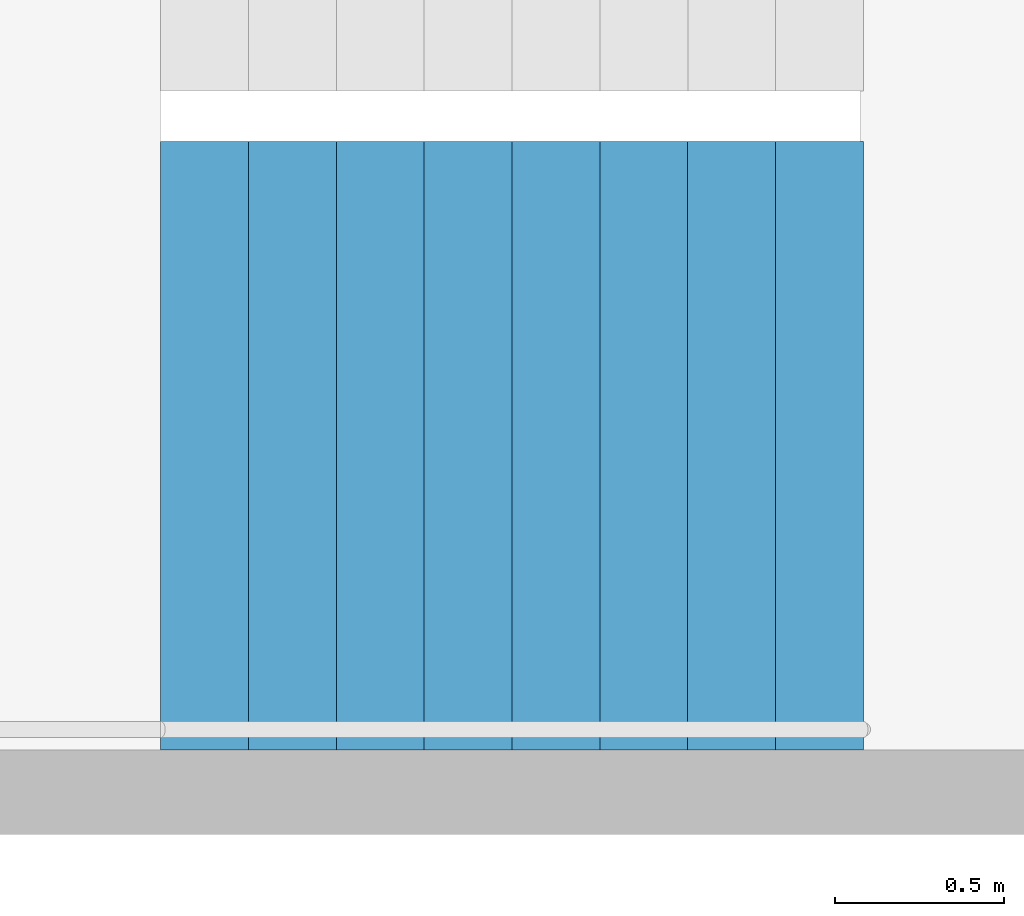
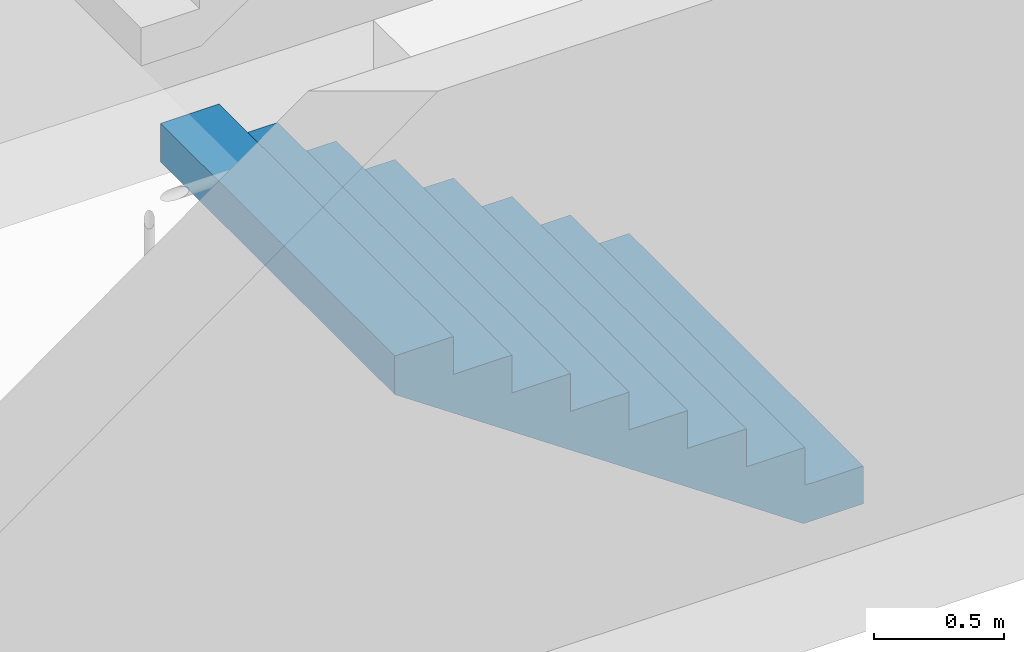
# One storey, part 39 of 42: 1 stair flight, 1 element without a shape of its own.
"""IFC4 building model written with IfcOpenShell, lengths in metres."""

from ifc_helpers import new_model, si_unit, direction, frame, origin, place, context, subcontext, project, spatial, triangles, material, type_object, element, aggregate, save


model = new_model("IFC4")

# Units and contexts
model_context = context("Model", 3, precision=1e-05, world=origin(), true_north=direction((0.0, 1.0)))
body_context = subcontext(model_context, "Body", "Model", "MODEL_VIEW")
ifc_project = project(units=[si_unit("LENGTHUNIT", "METRE"), si_unit("AREAUNIT", "SQUARE_METRE"), si_unit("VOLUMEUNIT", "CUBIC_METRE"), si_unit("PLANEANGLEUNIT", "RADIAN"), si_unit("MASSUNIT", "GRAM", prefix="KILO")], contexts=[model_context])

# Site, building, storey
site_placement = place(None, origin())
site = spatial("IfcSite", under=ifc_project, at=site_placement, CompositionType="ELEMENT")
building_placement = place(site_placement, origin())
building = spatial("IfcBuilding", under=site, at=building_placement, Name="Hakoniwa Tower and Hamabe Station Hall", CompositionType="ELEMENT")
storey_placement = place(building_placement, frame((0.0, 0.0, 19.800048828125)))
storey = spatial("IfcBuildingStorey", under=building, at=storey_placement, Name="L04", CompositionType="ELEMENT", Elevation=19.800048828125)

# Stair, stair flight
ifc_material_1 = material(Name="Concrete C40", Category="concrete")
stair_type = type_object("IfcStairType", Name="ESCAPE STAIR 1800", PredefinedType="HALF_TURN_STAIR", material=ifc_material_1)
stair_placement = place(storey_placement, origin())
stair = element("IfcStair", 1, at=stair_placement, inside=storey, type_object=stair_type, Name="Escape stair ST-3 L04", PredefinedType="HALF_TURN_STAIR")
ifc_material_2 = material(Name="Concrete C40", Category="concrete")
stair_flight_type = type_object("IfcStairFlightType", Name="STAIR FLIGHT 1800", PredefinedType="STRAIGHT", material=ifc_material_2)
stair_flight_placement = place(storey_placement, frame((24.39990234375, 4.64990234375, 0.0), z_axis=(0.0, 0.0, 1.0), x_axis=(-1.0, 0.0, 0.0)))
stair_flight = element("IfcStairFlight", 2, at=stair_flight_placement, type_object=stair_flight_type, Name="ST-3 flight 1", NumberOfRisers=9, NumberOfTreads=8, PredefinedType="STRAIGHT", RiserHeight=0.177777778, TreadLength=0.26, context=body_context, shape_type="Tessellation", body=[
    triangles([(0.0, 0.89990234375, 0.0), (0.260009765625, 0.89990234375, 0.0), (0.265625, 0.89990234375, 0.0), (0.52001953125, 0.89990234375, 0.174072265625), (0.780029296875, 0.89990234375, 0.351806640625), (1.0400390625, 0.89990234375, 0.529541015625), (1.300048828125, 0.89990234375, 0.707275390625), (1.56005859375, 0.89990234375, 0.885009765625), (1.820068359375, 0.89990234375, 1.062744140625), (2.080078125, 0.89990234375, 1.24072265625), (2.080078125, 0.89990234375, 1.422119140625), (1.820068359375, 0.89990234375, 1.422119140625), (1.820068359375, 0.89990234375, 1.244384765625), (1.56005859375, 0.89990234375, 1.244384765625), (1.56005859375, 0.89990234375, 1.066650390625), (1.300048828125, 0.89990234375, 1.066650390625), (1.300048828125, 0.89990234375, 0.888916015625), (1.0400390625, 0.89990234375, 0.888916015625), (1.0400390625, 0.89990234375, 0.711181640625), (0.780029296875, 0.89990234375, 0.711181640625), (0.780029296875, 0.89990234375, 0.533447265625), (0.52001953125, 0.89990234375, 0.533447265625), (0.52001953125, 0.89990234375, 0.35546875), (0.265625, 0.89990234375, 0.35546875), (0.260009765625, 0.89990234375, 0.35546875), (0.260009765625, 0.89990234375, 0.177734375), (0.0, 0.89990234375, 0.177734375), (0.0, 0.06005859375, 0.0), (0.260009765625, 0.06005859375, 0.0), (0.265625, 0.06005859375, 0.0), (0.52001953125, 0.06005859375, 0.174072265625), (0.780029296875, 0.06005859375, 0.351806640625), (1.0400390625, 0.06005859375, 0.529541015625), (1.300048828125, 0.06005859375, 0.707275390625), (1.56005859375, 0.06005859375, 0.885009765625), (1.820068359375, 0.06005859375, 1.062744140625), (2.080078125, 0.06005859375, 1.24072265625), (2.080078125, 0.06005859375, 1.422119140625), (1.820068359375, 0.06005859375, 1.422119140625), (1.820068359375, 0.06005859375, 1.244384765625), (1.56005859375, 0.06005859375, 1.244384765625), (1.56005859375, 0.06005859375, 1.066650390625), (1.300048828125, 0.06005859375, 1.066650390625), (1.300048828125, 0.06005859375, 0.888916015625), (1.0400390625, 0.06005859375, 0.888916015625), (1.0400390625, 0.06005859375, 0.711181640625), (0.780029296875, 0.06005859375, 0.711181640625), (0.780029296875, 0.06005859375, 0.533447265625), (0.52001953125, 0.06005859375, 0.533447265625), (0.52001953125, 0.06005859375, 0.35546875), (0.265625, 0.06005859375, 0.35546875), (0.260009765625, 0.06005859375, 0.35546875), (0.260009765625, 0.06005859375, 0.177734375), (0.0, 0.06005859375, 0.177734375), (0.0, 0.04296875, 0.0), (0.260009765625, 0.04296875, 0.0), (0.265625, 0.04296875, 0.0), (0.52001953125, 0.04296875, 0.174072265625), (0.780029296875, 0.04296875, 0.351806640625), (1.0400390625, 0.04296875, 0.529541015625), (1.300048828125, 0.04296875, 0.707275390625), (1.56005859375, 0.04296875, 0.885009765625), (1.820068359375, 0.04296875, 1.062744140625), (2.080078125, 0.04296875, 1.24072265625), (2.080078125, 0.04296875, 1.422119140625), (1.820068359375, 0.04296875, 1.422119140625), (1.820068359375, 0.04296875, 1.244384765625), (1.56005859375, 0.04296875, 1.244384765625), (1.56005859375, 0.04296875, 1.066650390625), (1.300048828125, 0.04296875, 1.066650390625), (1.300048828125, 0.04296875, 0.888916015625), (1.0400390625, 0.04296875, 0.888916015625), (1.0400390625, 0.04296875, 0.711181640625), (0.780029296875, 0.04296875, 0.711181640625), (0.780029296875, 0.04296875, 0.533447265625), (0.52001953125, 0.04296875, 0.533447265625), (0.52001953125, 0.04296875, 0.35546875), (0.265625, 0.04296875, 0.35546875), (0.260009765625, 0.04296875, 0.35546875), (0.260009765625, 0.04296875, 0.177734375), (0.0, 0.04296875, 0.177734375), (0.0, 0.025634765625, 0.0), (0.260009765625, 0.025634765625, 0.0), (0.265625, 0.025634765625, 0.0), (0.52001953125, 0.025634765625, 0.174072265625), (0.780029296875, 0.025634765625, 0.351806640625), (1.0400390625, 0.025634765625, 0.529541015625), (1.300048828125, 0.025634765625, 0.707275390625), (1.56005859375, 0.025634765625, 0.885009765625), (1.820068359375, 0.025634765625, 1.062744140625), (2.080078125, 0.025634765625, 1.24072265625), (2.080078125, 0.025634765625, 1.422119140625), (1.820068359375, 0.025634765625, 1.422119140625), (1.820068359375, 0.025634765625, 1.244384765625), (1.56005859375, 0.025634765625, 1.244384765625), (1.56005859375, 0.025634765625, 1.066650390625), (1.300048828125, 0.025634765625, 1.066650390625), (1.300048828125, 0.025634765625, 0.888916015625), (1.0400390625, 0.025634765625, 0.888916015625), (1.0400390625, 0.025634765625, 0.711181640625), (0.780029296875, 0.025634765625, 0.711181640625), (0.780029296875, 0.025634765625, 0.533447265625), (0.52001953125, 0.025634765625, 0.533447265625), (0.52001953125, 0.025634765625, 0.35546875), (0.265625, 0.025634765625, 0.35546875), (0.260009765625, 0.025634765625, 0.35546875), (0.260009765625, 0.025634765625, 0.177734375), (0.0, 0.025634765625, 0.177734375), (0.0, 0.008544921875, 0.0), (0.260009765625, 0.008544921875, 0.0), (0.265625, 0.008544921875, 0.0), (0.52001953125, 0.008544921875, 0.174072265625), (0.780029296875, 0.008544921875, 0.351806640625), (1.0400390625, 0.008544921875, 0.529541015625), (1.300048828125, 0.008544921875, 0.707275390625), (1.56005859375, 0.008544921875, 0.885009765625), (1.820068359375, 0.008544921875, 1.062744140625), (2.080078125, 0.008544921875, 1.24072265625), (2.080078125, 0.008544921875, 1.422119140625), (1.820068359375, 0.008544921875, 1.422119140625), (1.820068359375, 0.008544921875, 1.244384765625), (1.56005859375, 0.008544921875, 1.244384765625), (1.56005859375, 0.008544921875, 1.066650390625), (1.300048828125, 0.008544921875, 1.066650390625), (1.300048828125, 0.008544921875, 0.888916015625), (1.0400390625, 0.008544921875, 0.888916015625), (1.0400390625, 0.008544921875, 0.711181640625), (0.780029296875, 0.008544921875, 0.711181640625), (0.780029296875, 0.008544921875, 0.533447265625), (0.52001953125, 0.008544921875, 0.533447265625), (0.52001953125, 0.008544921875, 0.35546875), (0.265625, 0.008544921875, 0.35546875), (0.260009765625, 0.008544921875, 0.35546875), (0.260009765625, 0.008544921875, 0.177734375), (0.0, 0.008544921875, 0.177734375), (0.0, -0.008544921875, 0.0), (0.260009765625, -0.008544921875, 0.0), (0.265625, -0.008544921875, 0.0), (0.52001953125, -0.008544921875, 0.174072265625), (0.780029296875, -0.008544921875, 0.351806640625), (1.0400390625, -0.008544921875, 0.529541015625), (1.300048828125, -0.008544921875, 0.707275390625), (1.56005859375, -0.008544921875, 0.885009765625), (1.820068359375, -0.008544921875, 1.062744140625), (2.080078125, -0.008544921875, 1.24072265625), (2.080078125, -0.008544921875, 1.422119140625), (1.820068359375, -0.008544921875, 1.422119140625), (1.820068359375, -0.008544921875, 1.244384765625), (1.56005859375, -0.008544921875, 1.244384765625), (1.56005859375, -0.008544921875, 1.066650390625), (1.300048828125, -0.008544921875, 1.066650390625), (1.300048828125, -0.008544921875, 0.888916015625), (1.0400390625, -0.008544921875, 0.888916015625), (1.0400390625, -0.008544921875, 0.711181640625), (0.780029296875, -0.008544921875, 0.711181640625), (0.780029296875, -0.008544921875, 0.533447265625), (0.52001953125, -0.008544921875, 0.533447265625), (0.52001953125, -0.008544921875, 0.35546875), (0.265625, -0.008544921875, 0.35546875), (0.260009765625, -0.008544921875, 0.35546875), (0.260009765625, -0.008544921875, 0.177734375), (0.0, -0.008544921875, 0.177734375), (0.0, -0.025634765625, 0.0), (0.260009765625, -0.025634765625, 0.0), (0.265625, -0.025634765625, 0.0), (0.52001953125, -0.025634765625, 0.174072265625), (0.780029296875, -0.025634765625, 0.351806640625), (1.0400390625, -0.025634765625, 0.529541015625), (1.300048828125, -0.025634765625, 0.707275390625), (1.56005859375, -0.025634765625, 0.885009765625), (1.820068359375, -0.025634765625, 1.062744140625), (2.080078125, -0.025634765625, 1.24072265625), (2.080078125, -0.025634765625, 1.422119140625), (1.820068359375, -0.025634765625, 1.422119140625), (1.820068359375, -0.025634765625, 1.244384765625), (1.56005859375, -0.025634765625, 1.244384765625), (1.56005859375, -0.025634765625, 1.066650390625), (1.300048828125, -0.025634765625, 1.066650390625), (1.300048828125, -0.025634765625, 0.888916015625), (1.0400390625, -0.025634765625, 0.888916015625), (1.0400390625, -0.025634765625, 0.711181640625), (0.780029296875, -0.025634765625, 0.711181640625), (0.780029296875, -0.025634765625, 0.533447265625), (0.52001953125, -0.025634765625, 0.533447265625), (0.52001953125, -0.025634765625, 0.35546875), (0.265625, -0.025634765625, 0.35546875), (0.260009765625, -0.025634765625, 0.35546875), (0.260009765625, -0.025634765625, 0.177734375), (0.0, -0.025634765625, 0.177734375), (0.0, -0.04296875, 0.0), (0.260009765625, -0.04296875, 0.0), (0.265625, -0.04296875, 0.0), (0.52001953125, -0.04296875, 0.174072265625), (0.780029296875, -0.04296875, 0.351806640625), (1.0400390625, -0.04296875, 0.529541015625), (1.300048828125, -0.04296875, 0.707275390625), (1.56005859375, -0.04296875, 0.885009765625), (1.820068359375, -0.04296875, 1.062744140625), (2.080078125, -0.04296875, 1.24072265625), (2.080078125, -0.04296875, 1.422119140625), (1.820068359375, -0.04296875, 1.422119140625), (1.820068359375, -0.04296875, 1.244384765625), (1.56005859375, -0.04296875, 1.244384765625), (1.56005859375, -0.04296875, 1.066650390625), (1.300048828125, -0.04296875, 1.066650390625), (1.300048828125, -0.04296875, 0.888916015625), (1.0400390625, -0.04296875, 0.888916015625), (1.0400390625, -0.04296875, 0.711181640625), (0.780029296875, -0.04296875, 0.711181640625), (0.780029296875, -0.04296875, 0.533447265625), (0.52001953125, -0.04296875, 0.533447265625), (0.52001953125, -0.04296875, 0.35546875), (0.265625, -0.04296875, 0.35546875), (0.260009765625, -0.04296875, 0.35546875), (0.260009765625, -0.04296875, 0.177734375), (0.0, -0.04296875, 0.177734375), (0.0, -0.06005859375, 0.0), (0.260009765625, -0.06005859375, 0.0), (0.265625, -0.06005859375, 0.0), (0.52001953125, -0.06005859375, 0.174072265625), (0.780029296875, -0.06005859375, 0.351806640625), (1.0400390625, -0.06005859375, 0.529541015625), (1.300048828125, -0.06005859375, 0.707275390625), (1.56005859375, -0.06005859375, 0.885009765625), (1.820068359375, -0.06005859375, 1.062744140625), (2.080078125, -0.06005859375, 1.24072265625), (2.080078125, -0.06005859375, 1.422119140625), (1.820068359375, -0.06005859375, 1.422119140625), (1.820068359375, -0.06005859375, 1.244384765625), (1.56005859375, -0.06005859375, 1.244384765625), (1.56005859375, -0.06005859375, 1.066650390625), (1.300048828125, -0.06005859375, 1.066650390625), (1.300048828125, -0.06005859375, 0.888916015625), (1.0400390625, -0.06005859375, 0.888916015625), (1.0400390625, -0.06005859375, 0.711181640625), (0.780029296875, -0.06005859375, 0.711181640625), (0.780029296875, -0.06005859375, 0.533447265625), (0.52001953125, -0.06005859375, 0.533447265625), (0.52001953125, -0.06005859375, 0.35546875), (0.265625, -0.06005859375, 0.35546875), (0.260009765625, -0.06005859375, 0.35546875), (0.260009765625, -0.06005859375, 0.177734375), (0.0, -0.06005859375, 0.177734375), (0.0, -0.89990234375, 0.0), (0.260009765625, -0.89990234375, 0.0), (0.265625, -0.89990234375, 0.0), (0.52001953125, -0.89990234375, 0.174072265625), (0.780029296875, -0.89990234375, 0.351806640625), (1.0400390625, -0.89990234375, 0.529541015625), (1.300048828125, -0.89990234375, 0.707275390625), (1.56005859375, -0.89990234375, 0.885009765625), (1.820068359375, -0.89990234375, 1.062744140625), (2.080078125, -0.89990234375, 1.24072265625), (2.080078125, -0.89990234375, 1.422119140625), (1.820068359375, -0.89990234375, 1.422119140625), (1.820068359375, -0.89990234375, 1.244384765625), (1.56005859375, -0.89990234375, 1.244384765625), (1.56005859375, -0.89990234375, 1.066650390625), (1.300048828125, -0.89990234375, 1.066650390625), (1.300048828125, -0.89990234375, 0.888916015625), (1.0400390625, -0.89990234375, 0.888916015625), (1.0400390625, -0.89990234375, 0.711181640625), (0.780029296875, -0.89990234375, 0.711181640625), (0.780029296875, -0.89990234375, 0.533447265625), (0.52001953125, -0.89990234375, 0.533447265625), (0.52001953125, -0.89990234375, 0.35546875), (0.265625, -0.89990234375, 0.35546875), (0.260009765625, -0.89990234375, 0.35546875), (0.260009765625, -0.89990234375, 0.177734375), (0.0, -0.89990234375, 0.177734375)], [[2, 27, 26], [245, 269, 270], [2, 1, 27], [245, 270, 244], [3, 25, 24], [246, 267, 268], [3, 26, 25], [246, 268, 269], [3, 2, 26], [246, 269, 245], [4, 24, 23], [247, 266, 267], [4, 3, 24], [247, 267, 246], [5, 22, 21], [248, 264, 265], [5, 23, 22], [248, 265, 266], [5, 4, 23], [248, 266, 247], [6, 20, 19], [249, 262, 263], [6, 21, 20], [249, 263, 264], [6, 5, 21], [249, 264, 248], [7, 18, 17], [250, 260, 261], [7, 19, 18], [250, 261, 262], [7, 6, 19], [250, 262, 249], [8, 16, 15], [251, 258, 259], [8, 17, 16], [251, 259, 260], [8, 7, 17], [251, 260, 250], [9, 14, 13], [252, 256, 257], [9, 15, 14], [252, 257, 258], [9, 8, 15], [252, 258, 251], [10, 12, 11], [253, 254, 255], [10, 13, 12], [253, 255, 256], [10, 9, 13], [253, 256, 252], [1, 2, 29], [1, 29, 28], [28, 29, 56], [28, 56, 55], [55, 56, 83], [55, 83, 82], [82, 83, 110], [82, 110, 109], [109, 110, 137], [109, 137, 136], [136, 137, 164], [136, 164, 163], [163, 164, 191], [163, 191, 190], [190, 191, 218], [190, 218, 217], [217, 218, 245], [217, 245, 244], [2, 3, 30], [2, 30, 29], [29, 30, 57], [29, 57, 56], [56, 57, 84], [56, 84, 83], [83, 84, 111], [83, 111, 110], [110, 111, 138], [110, 138, 137], [137, 138, 165], [137, 165, 164], [164, 165, 192], [164, 192, 191], [191, 192, 219], [191, 219, 218], [218, 219, 246], [218, 246, 245], [3, 4, 31], [3, 31, 30], [30, 31, 58], [30, 58, 57], [57, 58, 85], [57, 85, 84], [84, 85, 112], [84, 112, 111], [111, 112, 139], [111, 139, 138], [138, 139, 166], [138, 166, 165], [165, 166, 193], [165, 193, 192], [192, 193, 220], [192, 220, 219], [219, 220, 247], [219, 247, 246], [4, 5, 32], [4, 32, 31], [31, 32, 59], [31, 59, 58], [58, 59, 86], [58, 86, 85], [85, 86, 113], [85, 113, 112], [112, 113, 140], [112, 140, 139], [139, 140, 167], [139, 167, 166], [166, 167, 194], [166, 194, 193], [193, 194, 221], [193, 221, 220], [220, 221, 248], [220, 248, 247], [5, 6, 33], [5, 33, 32], [32, 33, 60], [32, 60, 59], [59, 60, 87], [59, 87, 86], [86, 87, 114], [86, 114, 113], [113, 114, 141], [113, 141, 140], [140, 141, 168], [140, 168, 167], [167, 168, 195], [167, 195, 194], [194, 195, 222], [194, 222, 221], [221, 222, 249], [221, 249, 248], [6, 7, 34], [6, 34, 33], [33, 34, 61], [33, 61, 60], [60, 61, 88], [60, 88, 87], [87, 88, 115], [87, 115, 114], [114, 115, 142], [114, 142, 141], [141, 142, 169], [141, 169, 168], [168, 169, 196], [168, 196, 195], [195, 196, 223], [195, 223, 222], [222, 223, 250], [222, 250, 249], [7, 8, 35], [7, 35, 34], [34, 35, 62], [34, 62, 61], [61, 62, 89], [61, 89, 88], [88, 89, 116], [88, 116, 115], [115, 116, 143], [115, 143, 142], [142, 143, 170], [142, 170, 169], [169, 170, 197], [169, 197, 196], [196, 197, 224], [196, 224, 223], [223, 224, 251], [223, 251, 250], [8, 9, 36], [8, 36, 35], [35, 36, 63], [35, 63, 62], [62, 63, 90], [62, 90, 89], [89, 90, 117], [89, 117, 116], [116, 117, 144], [116, 144, 143], [143, 144, 171], [143, 171, 170], [170, 171, 198], [170, 198, 197], [197, 198, 225], [197, 225, 224], [224, 225, 252], [224, 252, 251], [9, 10, 37], [9, 37, 36], [36, 37, 64], [36, 64, 63], [63, 64, 91], [63, 91, 90], [90, 91, 118], [90, 118, 117], [117, 118, 145], [117, 145, 144], [144, 145, 172], [144, 172, 171], [171, 172, 199], [171, 199, 198], [198, 199, 226], [198, 226, 225], [225, 226, 253], [225, 253, 252], [10, 11, 38], [10, 38, 37], [37, 38, 65], [37, 65, 64], [64, 65, 92], [64, 92, 91], [91, 92, 119], [91, 119, 118], [118, 119, 146], [118, 146, 145], [145, 146, 173], [145, 173, 172], [172, 173, 200], [172, 200, 199], [199, 200, 227], [199, 227, 226], [226, 227, 254], [226, 254, 253], [11, 12, 39], [11, 39, 38], [38, 39, 66], [38, 66, 65], [65, 66, 93], [65, 93, 92], [92, 93, 120], [92, 120, 119], [119, 120, 147], [119, 147, 146], [146, 147, 174], [146, 174, 173], [173, 174, 201], [173, 201, 200], [200, 201, 228], [200, 228, 227], [227, 228, 255], [227, 255, 254], [12, 13, 40], [12, 40, 39], [39, 40, 67], [39, 67, 66], [66, 67, 94], [66, 94, 93], [93, 94, 121], [93, 121, 120], [120, 121, 148], [120, 148, 147], [147, 148, 175], [147, 175, 174], [174, 175, 202], [174, 202, 201], [201, 202, 229], [201, 229, 228], [228, 229, 256], [228, 256, 255], [13, 14, 41], [13, 41, 40], [40, 41, 68], [40, 68, 67], [67, 68, 95], [67, 95, 94], [94, 95, 122], [94, 122, 121], [121, 122, 149], [121, 149, 148], [148, 149, 176], [148, 176, 175], [175, 176, 203], [175, 203, 202], [202, 203, 230], [202, 230, 229], [229, 230, 257], [229, 257, 256], [14, 15, 42], [14, 42, 41], [41, 42, 69], [41, 69, 68], [68, 69, 96], [68, 96, 95], [95, 96, 123], [95, 123, 122], [122, 123, 150], [122, 150, 149], [149, 150, 177], [149, 177, 176], [176, 177, 204], [176, 204, 203], [203, 204, 231], [203, 231, 230], [230, 231, 258], [230, 258, 257], [15, 16, 43], [15, 43, 42], [42, 43, 70], [42, 70, 69], [69, 70, 97], [69, 97, 96], [96, 97, 124], [96, 124, 123], [123, 124, 151], [123, 151, 150], [150, 151, 178], [150, 178, 177], [177, 178, 205], [177, 205, 204], [204, 205, 232], [204, 232, 231], [231, 232, 259], [231, 259, 258], [16, 17, 44], [16, 44, 43], [43, 44, 71], [43, 71, 70], [70, 71, 98], [70, 98, 97], [97, 98, 125], [97, 125, 124], [124, 125, 152], [124, 152, 151], [151, 152, 179], [151, 179, 178], [178, 179, 206], [178, 206, 205], [205, 206, 233], [205, 233, 232], [232, 233, 260], [232, 260, 259], [17, 18, 45], [17, 45, 44], [44, 45, 72], [44, 72, 71], [71, 72, 99], [71, 99, 98], [98, 99, 126], [98, 126, 125], [125, 126, 153], [125, 153, 152], [152, 153, 180], [152, 180, 179], [179, 180, 207], [179, 207, 206], [206, 207, 234], [206, 234, 233], [233, 234, 261], [233, 261, 260], [18, 19, 46], [18, 46, 45], [45, 46, 73], [45, 73, 72], [72, 73, 100], [72, 100, 99], [99, 100, 127], [99, 127, 126], [126, 127, 154], [126, 154, 153], [153, 154, 181], [153, 181, 180], [180, 181, 208], [180, 208, 207], [207, 208, 235], [207, 235, 234], [234, 235, 262], [234, 262, 261], [19, 20, 47], [19, 47, 46], [46, 47, 74], [46, 74, 73], [73, 74, 101], [73, 101, 100], [100, 101, 128], [100, 128, 127], [127, 128, 155], [127, 155, 154], [154, 155, 182], [154, 182, 181], [181, 182, 209], [181, 209, 208], [208, 209, 236], [208, 236, 235], [235, 236, 263], [235, 263, 262], [20, 21, 48], [20, 48, 47], [47, 48, 75], [47, 75, 74], [74, 75, 102], [74, 102, 101], [101, 102, 129], [101, 129, 128], [128, 129, 156], [128, 156, 155], [155, 156, 183], [155, 183, 182], [182, 183, 210], [182, 210, 209], [209, 210, 237], [209, 237, 236], [236, 237, 264], [236, 264, 263], [21, 22, 49], [21, 49, 48], [48, 49, 76], [48, 76, 75], [75, 76, 103], [75, 103, 102], [102, 103, 130], [102, 130, 129], [129, 130, 157], [129, 157, 156], [156, 157, 184], [156, 184, 183], [183, 184, 211], [183, 211, 210], [210, 211, 238], [210, 238, 237], [237, 238, 265], [237, 265, 264], [22, 23, 50], [22, 50, 49], [49, 50, 77], [49, 77, 76], [76, 77, 104], [76, 104, 103], [103, 104, 131], [103, 131, 130], [130, 131, 158], [130, 158, 157], [157, 158, 185], [157, 185, 184], [184, 185, 212], [184, 212, 211], [211, 212, 239], [211, 239, 238], [238, 239, 266], [238, 266, 265], [23, 24, 51], [23, 51, 50], [50, 51, 78], [50, 78, 77], [77, 78, 105], [77, 105, 104], [104, 105, 132], [104, 132, 131], [131, 132, 159], [131, 159, 158], [158, 159, 186], [158, 186, 185], [185, 186, 213], [185, 213, 212], [212, 213, 240], [212, 240, 239], [239, 240, 267], [239, 267, 266], [24, 25, 52], [24, 52, 51], [51, 52, 79], [51, 79, 78], [78, 79, 106], [78, 106, 105], [105, 106, 133], [105, 133, 132], [132, 133, 160], [132, 160, 159], [159, 160, 187], [159, 187, 186], [186, 187, 214], [186, 214, 213], [213, 214, 241], [213, 241, 240], [240, 241, 268], [240, 268, 267], [25, 26, 53], [25, 53, 52], [52, 53, 80], [52, 80, 79], [79, 80, 107], [79, 107, 106], [106, 107, 134], [106, 134, 133], [133, 134, 161], [133, 161, 160], [160, 161, 188], [160, 188, 187], [187, 188, 215], [187, 215, 214], [214, 215, 242], [214, 242, 241], [241, 242, 269], [241, 269, 268], [26, 27, 54], [26, 54, 53], [53, 54, 81], [53, 81, 80], [80, 81, 108], [80, 108, 107], [107, 108, 135], [107, 135, 134], [134, 135, 162], [134, 162, 161], [161, 162, 189], [161, 189, 188], [188, 189, 216], [188, 216, 215], [215, 216, 243], [215, 243, 242], [242, 243, 270], [242, 270, 269], [27, 1, 28], [27, 28, 54], [54, 28, 55], [54, 55, 81], [81, 55, 82], [81, 82, 108], [108, 82, 109], [108, 109, 135], [135, 109, 136], [135, 136, 162], [162, 136, 163], [162, 163, 189], [189, 163, 190], [189, 190, 216], [216, 190, 217], [216, 217, 243], [243, 217, 244], [243, 244, 270]], closed=True),
])
aggregate(stair, [stair_flight])

save(model, "model.ifc")
